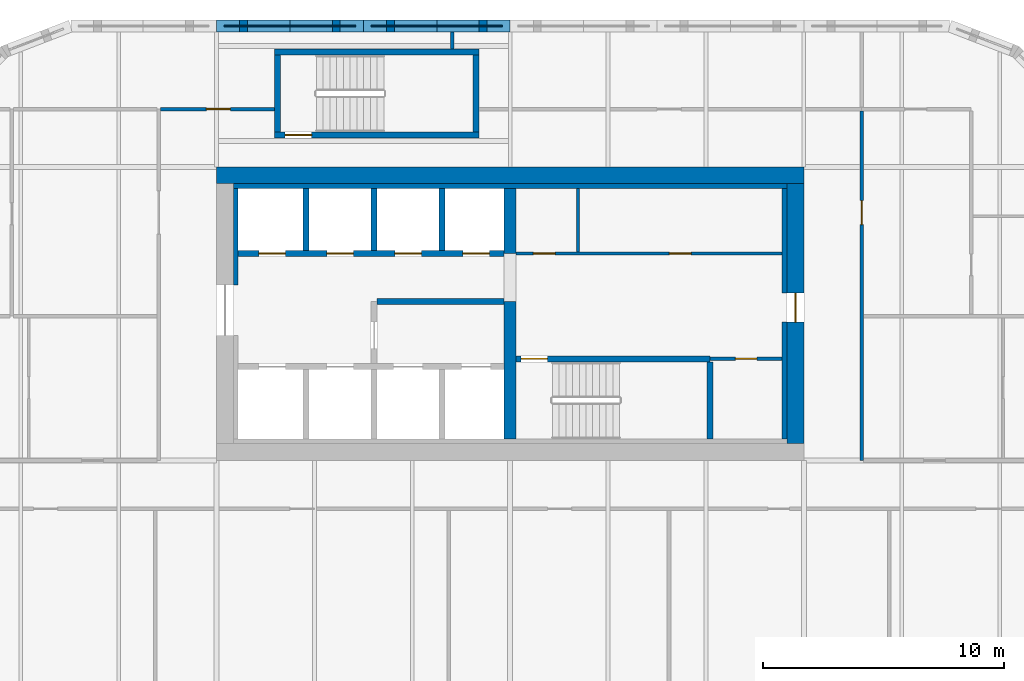
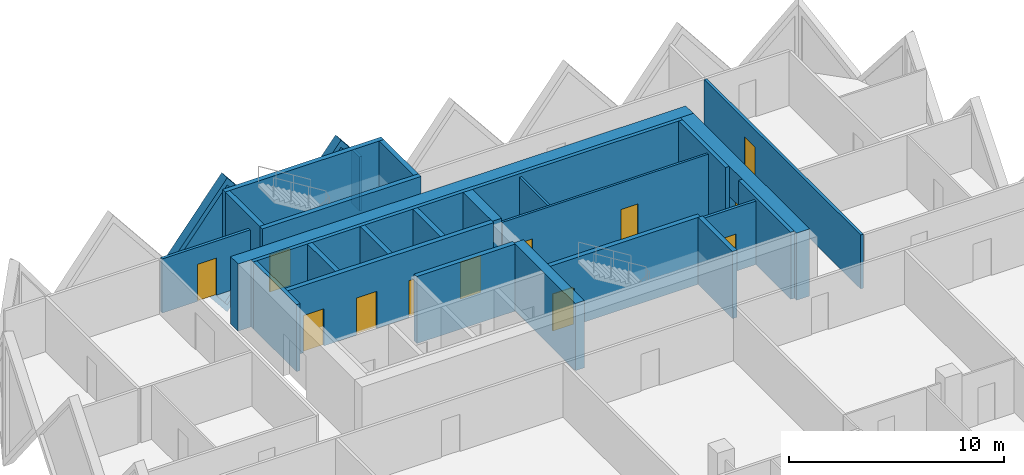
# One storey, part 14 of 20: 27 walls, 12 doors, 2 plates, 14 openings.
"""IFC4 building model written with IfcOpenShell, lengths in metres."""

from ifc_helpers import new_model, si_unit, direction, frame, frame_2d, origin, place, context, subcontext, project, spatial, polyline, rectangle, outline, extrude, faceted_brep, source, transform, mapped, material, layer, layer_set, type_object, element, fill, save


model = new_model("IFC4")

# Units and contexts
model_context = context("Model", 3, precision=1e-05, world=origin(), true_north=direction((0.0, 1.0)))
body_context = subcontext(model_context, "Body", "Model", "MODEL_VIEW")
ifc_project = project(units=[si_unit("LENGTHUNIT", "METRE"), si_unit("AREAUNIT", "SQUARE_METRE"), si_unit("VOLUMEUNIT", "CUBIC_METRE"), si_unit("PLANEANGLEUNIT", "RADIAN"), si_unit("MASSUNIT", "GRAM", prefix="KILO")], contexts=[model_context])

# Site, building, storey
site_placement = place(None, origin())
site = spatial("IfcSite", under=ifc_project, at=site_placement, CompositionType="ELEMENT")
building_placement = place(site_placement, origin())
building = spatial("IfcBuilding", under=site, at=building_placement, Name="Tessera Gate Towers", CompositionType="ELEMENT")
storey_placement = place(building_placement, frame((0.0, 0.0, 52.39990234375)))
storey = spatial("IfcBuildingStorey", under=building, at=storey_placement, Name="L12", CompositionType="ELEMENT", Elevation=52.39990234375)

# Wall, openings, doors
ifc_material_1 = material(Name="Concrete C40/50", Category="concrete")
ifc_layer_1 = layer(ifc_material_1, 0.25)
ifc_layer_set_1 = layer_set([ifc_layer_1], Name="CORE ENCLOSURE WALL 250")
wall_type_1 = type_object("IfcWallType", Name="CORE ENCLOSURE WALL 250", PredefinedType="SOLIDWALL", material=ifc_layer_set_1)
wall_1_placement = place(storey_placement, frame((109.550048828125, 45.199951171875, 0.0), z_axis=(0.0, 0.0, 1.0), x_axis=(-1.0, 0.0, 0.0)))
wall_1 = element("IfcWall", 1, at=wall_1_placement, inside=storey, type_object=wall_type_1, Name="L12 shaft and stair enclosure wall", PredefinedType="SOLIDWALL", context=body_context, shape_type="SweptSolid", body=[
    extrude(rectangle(XDim=11.050048828125, YDim=0.25, at=frame_2d((5.52490234375, 0.0))), origin(), (0.0, 0.0, 1.0), 3.800048828125),
])
shared_shape_1 = source(origin(), body_context, "Body", "SweptSolid", [
    extrude(rectangle(XDim=1.10009765625, YDim=2.10009765625, at=frame_2d((0.550048828125, 1.050048828125))), frame((0.0, 0.135009765625, 0.0), z_axis=(0.0, -1.0, 0.0), x_axis=(1.0, 0.0, 0.0)), (0.0, 0.0, 1.0), 0.27001953125),
])
opening_1_placement = place(wall_1_placement, frame((9.08740234375, 0.0, 0.0)))
opening_1 = element("IfcOpeningElement", 2, at=opening_1_placement, cuts=wall_1, Name="Opening LD-TL3", PredefinedType="OPENING", context=body_context, shape_type="MappedRepresentation", body=[
    mapped(shared_shape_1, transform((0.0, 0.0, 0.0), scale=1.0)),
])
opening_2_placement = place(wall_1_placement, frame((6.262451171875, 0.0, 0.0)))
opening_2 = element("IfcOpeningElement", 3, at=opening_2_placement, cuts=wall_1, Name="Opening LD-TL4", PredefinedType="OPENING", context=body_context, shape_type="MappedRepresentation", body=[
    mapped(shared_shape_1, transform((0.0, 0.0, 0.0), scale=1.0)),
])
opening_3_placement = place(wall_1_placement, frame((3.4375, 0.0, 0.0)))
opening_3 = element("IfcOpeningElement", 4, at=opening_3_placement, cuts=wall_1, Name="Opening LD-TL5", PredefinedType="OPENING", context=body_context, shape_type="MappedRepresentation", body=[
    mapped(shared_shape_1, transform((0.0, 0.0, 0.0), scale=1.0)),
])
opening_4_placement = place(wall_1_placement, frame((0.612548828125, 0.0, 0.0)))
opening_4 = element("IfcOpeningElement", 5, at=opening_4_placement, cuts=wall_1, Name="Opening LD-TL6", PredefinedType="OPENING", context=body_context, shape_type="MappedRepresentation", body=[
    mapped(shared_shape_1, transform((0.0, 0.0, 0.0), scale=1.0)),
])
ifc_material_2 = material(Name="Stainless steel", Category="steel")
door_type_1 = type_object("IfcDoorType", Name="CORE DOOR LD 1100x2100", OperationType="DOUBLE_DOOR_SLIDING", PredefinedType="DOOR", material=ifc_material_2)
shared_shape_2 = source(origin(), body_context, "Body", "SweptSolid", [
    extrude(rectangle(XDim=1.10009765625, YDim=2.10009765625, at=frame_2d((0.550048828125, 1.050048828125))), frame((0.0, 0.02490234375, 0.0), z_axis=(0.0, -1.0, 0.0), x_axis=(1.0, 0.0, 0.0)), (0.0, 0.0, 1.0), 0.050048828125),
])
door_1_placement = place(opening_1_placement, origin())
door_1 = element("IfcDoor", 6, at=door_1_placement, inside=storey, type_object=door_type_1, Name="Landing door TL3 L12", OperationType="DOUBLE_DOOR_SLIDING", OverallHeight=2.10009765625, OverallWidth=1.10009765625, PredefinedType="DOOR", context=body_context, shape_type="MappedRepresentation", body=[
    mapped(shared_shape_2, transform((0.0, 0.0, 0.0), scale=1.0)),
])
fill(opening_1, door_1)
door_2_placement = place(opening_2_placement, origin())
door_2 = element("IfcDoor", 7, at=door_2_placement, inside=storey, type_object=door_type_1, Name="Landing door TL4 L12", OperationType="DOUBLE_DOOR_SLIDING", OverallHeight=2.10009765625, OverallWidth=1.10009765625, PredefinedType="DOOR", context=body_context, shape_type="MappedRepresentation", body=[
    mapped(shared_shape_2, transform((0.0, 0.0, 0.0), scale=1.0)),
])
fill(opening_2, door_2)
door_3_placement = place(opening_3_placement, origin())
door_3 = element("IfcDoor", 8, at=door_3_placement, inside=storey, type_object=door_type_1, Name="Landing door TL5 L12", OperationType="DOUBLE_DOOR_SLIDING", OverallHeight=2.10009765625, OverallWidth=1.10009765625, PredefinedType="DOOR", context=body_context, shape_type="MappedRepresentation", body=[
    mapped(shared_shape_2, transform((0.0, 0.0, 0.0), scale=1.0)),
])
fill(opening_3, door_3)
door_4_placement = place(opening_4_placement, origin())
door_4 = element("IfcDoor", 9, at=door_4_placement, inside=storey, type_object=door_type_1, Name="Landing door TL6 L12", OperationType="DOUBLE_DOOR_SLIDING", OverallHeight=2.10009765625, OverallWidth=1.10009765625, PredefinedType="DOOR", context=body_context, shape_type="MappedRepresentation", body=[
    mapped(shared_shape_2, transform((0.0, 0.0, 0.0), scale=1.0)),
])
fill(opening_4, door_4)

# Wall, opening, door
wall_2_placement = place(storey_placement, frame((118.10009765625, 40.824951171875, 0.0), z_axis=(0.0, 0.0, 1.0), x_axis=(-1.0, 0.0, 0.0)))
wall_2 = element("IfcWall", 10, at=wall_2_placement, inside=storey, type_object=wall_type_1, Name="L12 shaft and stair enclosure wall", PredefinedType="SOLIDWALL", context=body_context, shape_type="SweptSolid", body=[
    extrude(rectangle(XDim=8.050048828125, YDim=0.25, at=frame_2d((4.02490234375, 0.0))), origin(), (0.0, 0.0, 1.0), 3.800048828125),
])
opening_5_placement = place(wall_2_placement, frame((6.75, 0.0, 0.0)))
opening_5 = element("IfcOpeningElement", 11, at=opening_5_placement, cuts=wall_2, Name="Opening SD-ST6-1", PredefinedType="OPENING", context=body_context, shape_type="MappedRepresentation", body=[
    mapped(shared_shape_1, transform((0.0, 0.0, 0.0), scale=1.0)),
])
ifc_material_3 = material(Name="Hollow steel fire door", Category="steel")
door_type_2 = type_object("IfcDoorType", Name="CORE DOOR SD1100 1100x2100", OperationType="NOTDEFINED", PredefinedType="DOOR", material=ifc_material_3)
door_5_placement = place(opening_5_placement, origin())
door_5 = element("IfcDoor", 12, at=door_5_placement, inside=storey, type_object=door_type_2, Name="Stair door", OperationType="SINGLE_SWING_RIGHT", OverallHeight=2.10009765625, OverallWidth=1.10009765625, PredefinedType="DOOR", context=body_context, shape_type="MappedRepresentation", body=[
    mapped(shared_shape_2, transform((0.0, 0.0, 0.0), scale=1.0)),
])
fill(opening_5, door_5)

# Walls
wall_3_placement = place(storey_placement, frame((104.27490234375, 43.199951171875, 0.0), z_axis=(0.0, 0.0, 1.0), x_axis=(1.0, 0.0, 0.0)))
element("IfcWall", 13, at=wall_3_placement, inside=storey, type_object=wall_type_1, Name="L12 shaft and stair enclosure wall", PredefinedType="SOLIDWALL", context=body_context, shape_type="SweptSolid", body=[
    extrude(rectangle(XDim=5.275146484375, YDim=0.25, at=frame_2d((2.6376953125, 0.0))), origin(), (0.0, 0.0, 1.0), 3.800048828125),
])
wall_4_placement = place(storey_placement, frame((118.10009765625, 37.5, 0.0), z_axis=(0.0, 0.0, 1.0), x_axis=(0.0, 1.0, 0.0)))
element("IfcWall", 14, at=wall_4_placement, inside=storey, type_object=wall_type_1, Name="L12 shaft and stair enclosure wall", PredefinedType="SOLIDWALL", context=body_context, shape_type="SweptSolid", body=[
    extrude(rectangle(XDim=3.199951171875, YDim=0.25, at=frame_2d((1.60009765625, 0.0))), origin(), (0.0, 0.0, 1.0), 3.800048828125),
])
for number, where, z_axis, x_axis, name in (
    (15, (101.324951171875, 45.324951171875, 0.0), (0.0, 0.0, 1.0), (0.0, 1.0, 0.0), "L12 shaft and stair enclosure wall"),
    (16, (104.14990234375, 45.324951171875, 0.0), (0.0, 0.0, 1.0), (0.0, 1.0, 0.0), "L12 shaft and stair enclosure wall"),
    (17, (106.97509765625, 45.324951171875, 0.0), (0.0, 0.0, 1.0), (0.0, 1.0, 0.0), "L12 shaft and stair enclosure wall"),
):
    element("IfcWall", number, at=place(storey_placement, frame(where, z_axis=z_axis, x_axis=x_axis)), inside=storey, type_object=wall_type_1, Name=name, PredefinedType="SOLIDWALL", context=body_context, shape_type="SweptSolid", body=[
        extrude(rectangle(XDim=2.574951171875, YDim=0.25, at=frame_2d((1.28759765625, 0.0))), origin(), (0.0, 0.0, 1.0), 3.800048828125),
    ])

# Wall, opening, door
wall_5_placement = place(storey_placement, frame((108.5, 50.125, 0.0), z_axis=(0.0, 0.0, 1.0), x_axis=(-1.0, 0.0, 0.0)))
wall_5 = element("IfcWall", 18, at=wall_5_placement, inside=storey, type_object=wall_type_1, Name="L12 ST7 enclosure wall", PredefinedType="SOLIDWALL", context=body_context, shape_type="SweptSolid", body=[
    extrude(rectangle(XDim=8.5, YDim=0.25, at=frame_2d((4.25, 0.0))), origin(), (0.0, 0.0, 1.0), 3.800048828125),
])
opening_6_placement = place(wall_5_placement, frame((6.949951171875, 0.0, 0.0)))
opening_6 = element("IfcOpeningElement", 19, at=opening_6_placement, cuts=wall_5, Name="Opening SD-ST7-1", PredefinedType="OPENING", context=body_context, shape_type="MappedRepresentation", body=[
    mapped(shared_shape_1, transform((0.0, 0.0, 0.0), scale=1.0)),
])
door_6_placement = place(opening_6_placement, origin())
door_6 = element("IfcDoor", 20, at=door_6_placement, inside=storey, type_object=door_type_2, Name="Stair door", OperationType="SINGLE_SWING_RIGHT", OverallHeight=2.10009765625, OverallWidth=1.10009765625, PredefinedType="DOOR", context=body_context, shape_type="MappedRepresentation", body=[
    mapped(shared_shape_2, transform((0.0, 0.0, 0.0), scale=1.0)),
])
fill(opening_6, door_6)

# Walls
wall_6_placement = place(storey_placement, frame((100.125, 50.25, 0.0), z_axis=(0.0, 0.0, 1.0), x_axis=(0.0, 1.0, 0.0)))
element("IfcWall", 21, at=wall_6_placement, inside=storey, type_object=wall_type_1, Name="L12 ST7 enclosure wall", PredefinedType="SOLIDWALL", context=body_context, shape_type="SweptSolid", body=[
    extrude(rectangle(XDim=3.199951171875, YDim=0.25, at=frame_2d((1.60009765625, 0.0))), origin(), (0.0, 0.0, 1.0), 3.800048828125),
])
wall_7_placement = place(storey_placement, frame((100.0, 53.574951171875, 0.0), z_axis=(0.0, 0.0, 1.0), x_axis=(1.0, 0.0, 0.0)))
element("IfcWall", 22, at=wall_7_placement, inside=storey, type_object=wall_type_1, Name="L12 ST7 enclosure wall", PredefinedType="SOLIDWALL", context=body_context, shape_type="SweptSolid", body=[
    extrude(rectangle(XDim=8.5, YDim=0.25, at=frame_2d((4.25, 0.0))), origin(), (0.0, 0.0, 1.0), 3.800048828125),
])
wall_8_placement = place(storey_placement, frame((108.375, 53.449951171875, 0.0), z_axis=(0.0, 0.0, 1.0), x_axis=(0.0, -1.0, 0.0)))
element("IfcWall", 23, at=wall_8_placement, inside=storey, type_object=wall_type_1, Name="L12 ST7 enclosure wall", PredefinedType="SOLIDWALL", context=body_context, shape_type="SweptSolid", body=[
    extrude(rectangle(XDim=3.199951171875, YDim=0.25, at=frame_2d((1.60009765625, 0.0))), origin(), (0.0, 0.0, 1.0), 3.800048828125),
])

# Wall, openings, doors
ifc_material_4 = material(Name="Gypsum board on steel studs", Category="steel")
ifc_layer_2 = layer(ifc_material_4, 0.1201171875)
ifc_layer_set_2 = layer_set([ifc_layer_2], Name="CORE PARTITION 120")
wall_type_2 = type_object("IfcWallType", Name="CORE PARTITION 120", PredefinedType="PARTITIONING", material=ifc_layer_set_2)
wall_9_placement = place(storey_placement, frame((110.050048828125, 45.199951171875, 0.0), z_axis=(0.0, 0.0, 1.0), x_axis=(1.0, 0.0, 0.0)))
wall_9 = element("IfcWall", 24, at=wall_9_placement, inside=storey, type_object=wall_type_2, Name="L12 core partition", PredefinedType="PARTITIONING", context=body_context, shape_type="SweptSolid", body=[
    extrude(rectangle(XDim=11.050048828125, YDim=0.1201171875, at=frame_2d((5.52490234375, 0.0))), origin(), (0.0, 0.0, 1.0), 3.60009765625),
])
shared_shape_3 = source(origin(), body_context, "Body", "SweptSolid", [
    extrude(rectangle(XDim=0.89990234375, YDim=2.10009765625, at=frame_2d((0.449951171875, 1.050048828125))), frame((0.0, 0.070068359375, 0.0), z_axis=(0.0, -1.0, 0.0), x_axis=(1.0, 0.0, 0.0)), (0.0, 0.0, 1.0), 0.14013671875),
])
opening_7_placement = place(wall_9_placement, frame((0.71240234375, 0.0, 0.0)))
opening_7 = element("IfcOpeningElement", 25, at=opening_7_placement, cuts=wall_9, Name="Opening RD-T2-03-04", PredefinedType="OPENING", context=body_context, shape_type="MappedRepresentation", body=[
    mapped(shared_shape_3, transform((0.0, 0.0, 0.0), scale=1.0)),
])
opening_8_placement = place(wall_9_placement, frame((6.362548828125, 0.0, 0.0)))
opening_8 = element("IfcOpeningElement", 26, at=opening_8_placement, cuts=wall_9, Name="Opening RD-T2-03-05", PredefinedType="OPENING", context=body_context, shape_type="MappedRepresentation", body=[
    mapped(shared_shape_3, transform((0.0, 0.0, 0.0), scale=1.0)),
])
ifc_material_5 = material(Name="Hollow steel fire door", Category="steel")
door_type_3 = type_object("IfcDoorType", Name="CORE DOOR RD 900x2100", OperationType="NOTDEFINED", PredefinedType="DOOR", material=ifc_material_5)
shared_shape_4 = source(origin(), body_context, "Body", "SweptSolid", [
    extrude(rectangle(XDim=0.89990234375, YDim=2.10009765625, at=frame_2d((0.449951171875, 1.050048828125))), frame((0.0, 0.02490234375, 0.0), z_axis=(0.0, -1.0, 0.0), x_axis=(1.0, 0.0, 0.0)), (0.0, 0.0, 1.0), 0.050048828125),
])
door_7_placement = place(opening_7_placement, origin())
door_7 = element("IfcDoor", 27, at=door_7_placement, inside=storey, type_object=door_type_3, Name="Core room door", OperationType="SINGLE_SWING_LEFT", OverallHeight=2.10009765625, OverallWidth=0.89990234375, PredefinedType="DOOR", context=body_context, shape_type="MappedRepresentation", body=[
    mapped(shared_shape_4, transform((0.0, 0.0, 0.0), scale=1.0)),
])
fill(opening_7, door_7)
door_8_placement = place(opening_8_placement, origin())
door_8 = element("IfcDoor", 28, at=door_8_placement, inside=storey, type_object=door_type_3, Name="Core room door", OperationType="SINGLE_SWING_RIGHT", OverallHeight=2.10009765625, OverallWidth=0.89990234375, PredefinedType="DOOR", context=body_context, shape_type="MappedRepresentation", body=[
    mapped(shared_shape_4, transform((0.0, 0.0, 0.0), scale=1.0)),
])
fill(opening_8, door_8)

# Walls
wall_10_placement = place(storey_placement, frame((112.625, 45.260009765625, 0.0), z_axis=(0.0, 0.0, 1.0), x_axis=(0.0, 1.0, 0.0)))
element("IfcWall", 29, at=wall_10_placement, inside=storey, type_object=wall_type_2, Name="L12 core partition", PredefinedType="PARTITIONING", context=body_context, shape_type="SweptSolid", body=[
    extrude(rectangle(XDim=2.639892578125, YDim=0.1201171875, at=frame_2d((1.31982421875, 0.0))), origin(), (0.0, 0.0, 1.0), 3.60009765625),
])
ifc_material_6 = material(Name="Concrete C60/75", Category="concrete")
ifc_layer_3 = layer(ifc_material_6, 0.699951171875)
ifc_layer_set_3 = layer_set([ifc_layer_3], Name="CORE SHEAR WALL 700 C60/75")
wall_type_3 = type_object("IfcWallType", Name="CORE SHEAR WALL 700 C60/75", PredefinedType="SHEAR", material=ifc_layer_set_3)
wall_11_placement = place(storey_placement, frame((97.60009765625, 48.449951171875, 0.0), z_axis=(0.0, 0.0, 1.0), x_axis=(1.0, 0.0, 0.0)))
element("IfcWall", 30, at=wall_11_placement, inside=storey, type_object=wall_type_3, Name="Core wall N L12", PredefinedType="SHEAR", context=body_context, shape_type="SweptSolid", body=[
    extrude(rectangle(XDim=24.39990234375, YDim=0.699951171875, at=frame_2d((12.199951171875, 0.0))), origin(), (0.0, 0.0, 1.0), 3.800048828125),
])

# Wall, opening, door
wall_12_placement = place(storey_placement, frame((121.64990234375, 48.10009765625, 0.0), z_axis=(0.0, 0.0, 1.0), x_axis=(0.0, -1.0, 0.0)))
wall_12 = element("IfcWall", 31, at=wall_12_placement, inside=storey, type_object=wall_type_3, Name="Core wall E L12", PredefinedType="SHEAR", context=body_context, shape_type="SweptSolid", body=[
    extrude(rectangle(XDim=10.800048828125, YDim=0.699951171875, at=frame_2d((5.39990234375, 0.0))), origin(), (0.0, 0.0, 1.0), 3.800048828125),
])
shared_shape_5 = source(origin(), body_context, "Body", "SweptSolid", [
    extrude(rectangle(XDim=1.199951171875, YDim=2.10009765625, at=frame_2d((0.60009765625, 1.050048828125))), frame((0.0, 0.35986328125, 0.0), z_axis=(0.0, -1.0, 0.0), x_axis=(1.0, 0.0, 0.0)), (0.0, 0.0, 1.0), 0.719970703125),
])
opening_9_placement = place(wall_12_placement, frame((4.550048828125, 0.0, 0.0)))
opening_9 = element("IfcOpeningElement", 32, at=opening_9_placement, cuts=wall_12, Name="Opening ED-T2-03-02", PredefinedType="OPENING", context=body_context, shape_type="MappedRepresentation", body=[
    mapped(shared_shape_5, transform((0.0, 0.0, 0.0), scale=1.0)),
])
ifc_material_7 = material(Name="Hollow steel fire door", Category="steel")
door_type_4 = type_object("IfcDoorType", Name="CORE DOOR ED 1200x2100", OperationType="NOTDEFINED", PredefinedType="DOOR", material=ifc_material_7)
shared_shape_6 = source(origin(), body_context, "Body", "SweptSolid", [
    extrude(rectangle(XDim=1.199951171875, YDim=2.10009765625, at=frame_2d((0.60009765625, 1.050048828125))), frame((0.0, 0.02490234375, 0.0), z_axis=(0.0, -1.0, 0.0), x_axis=(1.0, 0.0, 0.0)), (0.0, 0.0, 1.0), 0.050048828125),
])
door_9_placement = place(opening_9_placement, origin())
door_9 = element("IfcDoor", 33, at=door_9_placement, inside=storey, type_object=door_type_4, Name="Core exit door", OperationType="SINGLE_SWING_LEFT", OverallHeight=2.10009765625, OverallWidth=1.199951171875, PredefinedType="DOOR", context=body_context, shape_type="MappedRepresentation", body=[
    mapped(shared_shape_6, transform((0.0, 0.0, 0.0), scale=1.0)),
])
fill(opening_9, door_9)

# Walls
ifc_material_8 = material(Name="Concrete C60/75", Category="concrete")
ifc_layer_4 = layer(ifc_material_8, 0.5)
ifc_layer_set_4 = layer_set([ifc_layer_4], Name="CORE SPINE WALL 500 C60/75")
wall_type_4 = type_object("IfcWallType", Name="CORE SPINE WALL 500 C60/75", PredefinedType="SHEAR", material=ifc_layer_set_4)
wall_13_placement = place(storey_placement, frame((109.800048828125, 37.5, 0.0), z_axis=(0.0, 0.0, 1.0), x_axis=(0.0, 1.0, 0.0)))
element("IfcWall", 34, at=wall_13_placement, inside=storey, type_object=wall_type_4, Name="Core wall spine L12", PredefinedType="SHEAR", context=body_context, shape_type="SweptSolid", body=[
    extrude(rectangle(XDim=5.699951171875, YDim=0.5, at=frame_2d((2.85009765625, 0.0))), origin(), (0.0, 0.0, 1.0), 3.800048828125),
])
wall_14_placement = place(storey_placement, frame((109.800048828125, 45.199951171875, 0.0), z_axis=(0.0, 0.0, 1.0), x_axis=(0.0, 1.0, 0.0)))
element("IfcWall", 35, at=wall_14_placement, inside=storey, type_object=wall_type_4, Name="Core wall spine L12", PredefinedType="SHEAR", context=body_context, shape_type="SweptSolid", body=[
    extrude(rectangle(XDim=2.699951171875, YDim=0.5, at=frame_2d((1.35009765625, 0.0))), origin(), (0.0, 0.0, 1.0), 3.800048828125),
])
ifc_material_9 = material(Name="Concrete C60/75", Category="concrete")
ifc_layer_5 = layer(ifc_material_9, 0.199951171875)
ifc_layer_set_5 = layer_set([ifc_layer_5], Name="CORE WALL THICKENING 200")
wall_type_5 = type_object("IfcWallType", Name="CORE WALL THICKENING 200", PredefinedType="SOLIDWALL", material=ifc_layer_set_5)
wall_15_placement = place(storey_placement, frame((98.300048828125, 48.0, 0.0), z_axis=(0.0, 0.0, 1.0), x_axis=(1.0, 0.0, 0.0)))
element("IfcWall", 36, at=wall_15_placement, inside=storey, type_object=wall_type_5, Name="Core wall thickening N L12", PredefinedType="SOLIDWALL", context=body_context, shape_type="SweptSolid", body=[
    extrude(rectangle(XDim=23.0, YDim=0.199951171875, at=frame_2d((11.5, 0.0))), origin(), (0.0, 0.0, 1.0), 3.800048828125),
])
wall_16_placement = place(storey_placement, frame((98.39990234375, 43.89990234375, 0.0), z_axis=(0.0, 0.0, 1.0), x_axis=(0.0, 1.0, 0.0)))
element("IfcWall", 37, at=wall_16_placement, inside=storey, type_object=wall_type_5, Name="Core wall thickening W L12", PredefinedType="SOLIDWALL", context=body_context, shape_type="SweptSolid", body=[
    extrude(rectangle(XDim=4.0, YDim=0.199951171875, at=frame_2d((2.0, 0.0))), origin(), (0.0, 0.0, 1.0), 3.800048828125),
])
wall_17_placement = place(storey_placement, frame((121.199951171875, 37.5, 0.0), z_axis=(0.0, 0.0, 1.0), x_axis=(0.0, 1.0, 0.0)))
element("IfcWall", 38, at=wall_17_placement, inside=storey, type_object=wall_type_5, Name="Core wall thickening E L12", PredefinedType="SOLIDWALL", context=body_context, shape_type="SweptSolid", body=[
    extrude(rectangle(XDim=4.85009765625, YDim=0.199951171875, at=frame_2d((2.425048828125, 0.0))), origin(), (0.0, 0.0, 1.0), 3.800048828125),
])
wall_18_placement = place(storey_placement, frame((121.199951171875, 43.550048828125, 0.0), z_axis=(0.0, 0.0, 1.0), x_axis=(0.0, 1.0, 0.0)))
element("IfcWall", 39, at=wall_18_placement, inside=storey, type_object=wall_type_5, Name="Core wall thickening E L12", PredefinedType="SOLIDWALL", context=body_context, shape_type="SweptSolid", body=[
    extrude(rectangle(XDim=4.349853515625, YDim=0.199951171875, at=frame_2d((2.1748046875, 0.0))), origin(), (0.0, 0.0, 1.0), 3.800048828125),
])

# Wall, opening, door
ifc_material_10 = material(Name="Gypsum board on steel studs, mineral wool", Category="steel")
ifc_layer_6 = layer(ifc_material_10, 0.14990234375)
ifc_layer_set_6 = layer_set([ifc_layer_6], Name="CORRIDOR WALL 150")
wall_type_6 = type_object("IfcWallType", Name="CORRIDOR WALL 150", PredefinedType="PARTITIONING", material=ifc_layer_set_6)
wall_19_placement = place(storey_placement, frame((124.39990234375, 51.1240234375, 0.0), z_axis=(0.0, 0.0, 1.0), x_axis=(0.0, -1.0, 0.0)))
wall_19 = element("IfcWall", 40, at=wall_19_placement, inside=storey, type_object=wall_type_6, Name="T2-L12-PW-027", PredefinedType="PARTITIONING", context=body_context, shape_type="SweptSolid", body=[
    extrude(rectangle(XDim=14.52392578125, YDim=0.14990234375, at=frame_2d((7.261962890625, 0.0))), origin(), (0.0, 0.0, 1.0), 3.067138671875),
])
shared_shape_7 = source(origin(), body_context, "Body", "SweptSolid", [
    extrude(rectangle(XDim=1.0, YDim=2.10009765625, at=frame_2d((0.5, 1.050048828125))), frame((0.0, 0.0849609375, 0.0), z_axis=(0.0, -1.0, 0.0), x_axis=(1.0, 0.0, 0.0)), (0.0, 0.0, 1.0), 0.169921875),
])
opening_10_placement = place(wall_19_placement, frame((3.72412109375, 0.0, 0.0)))
opening_10 = element("IfcOpeningElement", 41, at=opening_10_placement, cuts=wall_19, Name="Opening D2100FD60-B05-03", PredefinedType="OPENING", context=body_context, shape_type="MappedRepresentation", body=[
    mapped(shared_shape_7, transform((0.0, 0.0, 0.0), scale=1.0)),
])
ifc_material_11 = material(Name="Timber door leaf in steel frame", Category="steel")
door_type_5 = type_object("IfcDoorType", Name="TENANCY ENTRANCE DOOR 1000 FD60", OperationType="NOTDEFINED", PredefinedType="DOOR", material=ifc_material_11)
shared_shape_8 = source(origin(), body_context, "Body", "SweptSolid", [
    extrude(rectangle(XDim=1.0, YDim=2.10009765625, at=frame_2d((0.5, 1.050048828125))), frame((0.0, 0.02490234375, 0.0), z_axis=(0.0, -1.0, 0.0), x_axis=(1.0, 0.0, 0.0)), (0.0, 0.0, 1.0), 0.050048828125),
])
door_10_placement = place(opening_10_placement, origin())
door_10 = element("IfcDoor", 42, at=door_10_placement, inside=storey, type_object=door_type_5, Name="T2-L12-PD-015", OperationType="SINGLE_SWING_RIGHT", OverallHeight=2.10009765625, OverallWidth=1.0, PredefinedType="DOOR", context=body_context, shape_type="MappedRepresentation", body=[
    mapped(shared_shape_8, transform((0.0, 0.0, 0.0), scale=1.0)),
])
fill(opening_10, door_10)

wall_20_placement = place(storey_placement, frame((95.27587890625, 51.199951171875, 0.0), z_axis=(0.0, 0.0, 1.0), x_axis=(1.0, 0.0, 0.0)))
wall_20 = element("IfcWall", 43, at=wall_20_placement, inside=storey, type_object=wall_type_6, Name="T2-L12-PW-039", PredefinedType="PARTITIONING", context=body_context, shape_type="SweptSolid", body=[
    extrude(rectangle(XDim=4.72412109375, YDim=0.14990234375, at=frame_2d((2.362060546875, 0.0))), origin(), (0.0, 0.0, 1.0), 3.067138671875),
])
opening_11_placement = place(wall_20_placement, frame((1.89990234375, 0.0, 0.0)))
opening_11 = element("IfcOpeningElement", 44, at=opening_11_placement, cuts=wall_20, Name="Opening D2100FD60-B05-01", PredefinedType="OPENING", context=body_context, shape_type="MappedRepresentation", body=[
    mapped(shared_shape_7, transform((0.0, 0.0, 0.0), scale=1.0)),
])
door_11_placement = place(opening_11_placement, origin())
door_11 = element("IfcDoor", 45, at=door_11_placement, inside=storey, type_object=door_type_5, Name="T2-L12-PD-006", OperationType="SINGLE_SWING_LEFT", OverallHeight=2.10009765625, OverallWidth=1.0, PredefinedType="DOOR", context=body_context, shape_type="MappedRepresentation", body=[
    mapped(shared_shape_8, transform((0.0, 0.0, 0.0), scale=1.0)),
])
fill(opening_11, door_11)

ifc_material_12 = material(Name="Gypsum board on steel studs", Category="steel")
ifc_layer_7 = layer(ifc_material_12, 0.14990234375)
ifc_layer_set_7 = layer_set([ifc_layer_7], Name="SERVICE ROOM WALL 150")
wall_type_7 = type_object("IfcWallType", Name="SERVICE ROOM WALL 150", PredefinedType="PARTITIONING", material=ifc_layer_set_7)
wall_21_placement = place(storey_placement, frame((121.10009765625, 40.824951171875, 0.0), z_axis=(0.0, 0.0, 1.0), x_axis=(-1.0, 0.0, 0.0)))
wall_21 = element("IfcWall", 46, at=wall_21_placement, inside=storey, type_object=wall_type_7, Name="L12 service room wall", PredefinedType="PARTITIONING", context=body_context, shape_type="SweptSolid", body=[
    extrude(rectangle(XDim=3.0, YDim=0.14990234375, at=frame_2d((1.5, 0.0))), origin(), (0.0, 0.0, 1.0), 3.60009765625),
])
shared_shape_9 = source(origin(), body_context, "Body", "SweptSolid", [
    extrude(rectangle(XDim=0.89990234375, YDim=2.10009765625, at=frame_2d((0.449951171875, 1.050048828125))), frame((0.0, 0.0849609375, 0.0), z_axis=(0.0, -1.0, 0.0), x_axis=(1.0, 0.0, 0.0)), (0.0, 0.0, 1.0), 0.169921875),
])
opening_12_placement = place(wall_21_placement, frame((1.050048828125, 0.0, 0.0)))
opening_12 = element("IfcOpeningElement", 47, at=opening_12_placement, cuts=wall_21, Name="Opening RD-T2-03-06", PredefinedType="OPENING", context=body_context, shape_type="MappedRepresentation", body=[
    mapped(shared_shape_9, transform((0.0, 0.0, 0.0), scale=1.0)),
])
door_12_placement = place(opening_12_placement, origin())
door_12 = element("IfcDoor", 48, at=door_12_placement, inside=storey, type_object=door_type_3, Name="Core room door", OperationType="SINGLE_SWING_RIGHT", OverallHeight=2.10009765625, OverallWidth=0.89990234375, PredefinedType="DOOR", context=body_context, shape_type="MappedRepresentation", body=[
    mapped(shared_shape_4, transform((0.0, 0.0, 0.0), scale=1.0)),
])
fill(opening_12, door_12)

# Wall
ifc_material_13 = material(Name="Gypsum board on steel studs, mineral wool", Category="steel")
ifc_layer_8 = layer(ifc_material_13, 0.14990234375)
ifc_layer_set_8 = layer_set([ifc_layer_8], Name="TENANCY WALL 150")
wall_type_8 = type_object("IfcWallType", Name="TENANCY WALL 150", PredefinedType="PARTITIONING", material=ifc_layer_set_8)
wall_22_placement = place(storey_placement, frame((107.39990234375, 53.699951171875, 0.0), z_axis=(0.0, 0.0, 1.0), x_axis=(0.0, 1.0, 0.0)))
element("IfcWall", 49, at=wall_22_placement, inside=storey, type_object=wall_type_8, Name="T2-L12-PW-043", PredefinedType="PARTITIONING", context=body_context, shape_type="SweptSolid", body=[
    extrude(rectangle(XDim=0.699951171875, YDim=0.14990234375, at=frame_2d((0.35009765625, 0.0))), origin(), (0.0, 0.0, 1.0), 3.067138671875),
])

# Wall, opening, plate
ifc_material_14 = material(Name="Precast concrete C60/75 white", Category="concrete")
ifc_layer_9 = layer(ifc_material_14, 0.5)
ifc_layer_set_9 = layer_set([ifc_layer_9], Name="TS1 tessera")
wall_type_9 = type_object("IfcWallType", Name="TS1 tessera", PredefinedType="SOLIDWALL", material=ifc_layer_set_9)
shared_shape_10 = source(origin(), body_context, "Body", "Brep", [
    faceted_brep([(3.050048828125, -0.25, 0.0), (6.099853515625, -0.25, 3.799560546875), (6.099853515625, -0.25, 3.800048828125), (3.050048828125, -0.25, 7.599853515625), (0.0, -0.25, 3.7998046875), (0.0, 0.25, 3.7998046875), (3.050048828125, 0.25, 7.599853515625), (6.099853515625, 0.25, 3.800048828125), (6.099853515625, 0.25, 3.799560546875), (3.050048828125, 0.25, 0.0)], [[[0, 1, 2, 3, 4]], [[5, 6, 7, 8, 9]], [[9, 8, 1, 0]], [[7, 6, 3, 2]], [[6, 5, 4, 3]], [[5, 9, 0, 4]], [[1, 8, 7, 2]]]),
])
wall_23_placement = place(storey_placement, frame((103.699951171875, 54.64990234375, -3.7998046875), z_axis=(0.0, 0.0, 1.0), x_axis=(-1.0, 0.0, 0.0)))
wall_23 = element("IfcWall", 50, at=wall_23_placement, inside=storey, type_object=wall_type_9, Name="Precast tessera T2 TS1-0139", PredefinedType="SOLIDWALL", context=body_context, shape_type="MappedRepresentation", body=[
    mapped(shared_shape_10, transform((0.0, 0.0, 0.0), scale=1.0)),
])
shared_shape_11 = source(origin(), body_context, "Body", "SweptSolid", [
    extrude(outline(polyline([(3.050048828125, 0.3994140625), (5.779541015625, 3.7998046875), (3.050048828125, 7.200439453125), (0.320556640625, 3.7998046875), (3.050048828125, 0.3994140625)])), frame((0.0, 0.260009765625, 0.0), z_axis=(0.0, -1.0, 0.0), x_axis=(1.0, 0.0, 0.0)), (0.0, 0.0, 1.0), 0.52001953125),
])
opening_13_placement = place(wall_23_placement, origin())
opening_13 = element("IfcOpeningElement", 51, at=opening_13_placement, cuts=wall_23, Name="Opening T2-PL2-0259", PredefinedType="OPENING", context=body_context, shape_type="MappedRepresentation", body=[
    mapped(shared_shape_11, transform((0.0, 0.0, 0.0), scale=1.0)),
])
ifc_material_15 = material(Name="Low-e laminated glass", Category="glass")
ifc_layer_10 = layer(ifc_material_15, 0.06005859375)
ifc_layer_set_10 = layer_set([ifc_layer_10], Name="PL2 rhombic pane")
plate_type = type_object("IfcPlateType", Name="PL2 rhombic pane", PredefinedType="SHEET", material=ifc_layer_set_10)
shared_shape_12 = source(origin(), body_context, "Body", "SweptSolid", [
    extrude(outline(polyline([(3.050048828125, 0.3994140625), (5.779541015625, 3.7998046875), (3.050048828125, 7.200439453125), (0.320556640625, 3.7998046875), (3.050048828125, 0.3994140625)])), frame((0.0, 0.030029296875, 0.0), z_axis=(0.0, -1.0, 0.0), x_axis=(1.0, 0.0, 0.0)), (0.0, 0.0, 1.0), 0.06005859375),
])
plate_1_placement = place(opening_13_placement, origin())
plate_1 = element("IfcPlate", 52, at=plate_1_placement, inside=storey, type_object=plate_type, Name="Glass pane T2 PL2-0259", PredefinedType="SHEET", context=body_context, shape_type="MappedRepresentation", body=[
    mapped(shared_shape_12, transform((0.0, 0.0, 0.0), scale=1.0)),
])
fill(opening_13, plate_1)

shared_shape_13 = source(origin(), body_context, "Body", "SweptSolid", [
    extrude(outline(polyline([(3.050048828125, 0.0), (6.10009765625, 3.7998046875), (3.050048828125, 7.599853515625), (0.0, 3.7998046875), (3.050048828125, 0.0)])), frame((0.0, 0.25, 0.0), z_axis=(0.0, -1.0, 0.0), x_axis=(1.0, 0.0, 0.0)), (0.0, 0.0, 1.0), 0.5),
])
wall_24_placement = place(storey_placement, frame((109.800048828125, 54.64990234375, -3.7998046875), z_axis=(0.0, 0.0, 1.0), x_axis=(-1.0, 0.0, 0.0)))
wall_24 = element("IfcWall", 53, at=wall_24_placement, inside=storey, type_object=wall_type_9, Name="Precast tessera T2 TS1-0138", PredefinedType="SOLIDWALL", context=body_context, shape_type="MappedRepresentation", body=[
    mapped(shared_shape_13, transform((0.0, 0.0, 0.0), scale=1.0)),
])
opening_14_placement = place(wall_24_placement, origin())
opening_14 = element("IfcOpeningElement", 54, at=opening_14_placement, cuts=wall_24, Name="Opening T2-PL2-0258", PredefinedType="OPENING", context=body_context, shape_type="MappedRepresentation", body=[
    mapped(shared_shape_11, transform((0.0, 0.0, 0.0), scale=1.0)),
])
plate_2_placement = place(opening_14_placement, origin())
plate_2 = element("IfcPlate", 55, at=plate_2_placement, inside=storey, type_object=plate_type, Name="Glass pane T2 PL2-0258", PredefinedType="SHEET", context=body_context, shape_type="MappedRepresentation", body=[
    mapped(shared_shape_12, transform((0.0, 0.0, 0.0), scale=1.0)),
])
fill(opening_14, plate_2)

save(model, "model.ifc")
